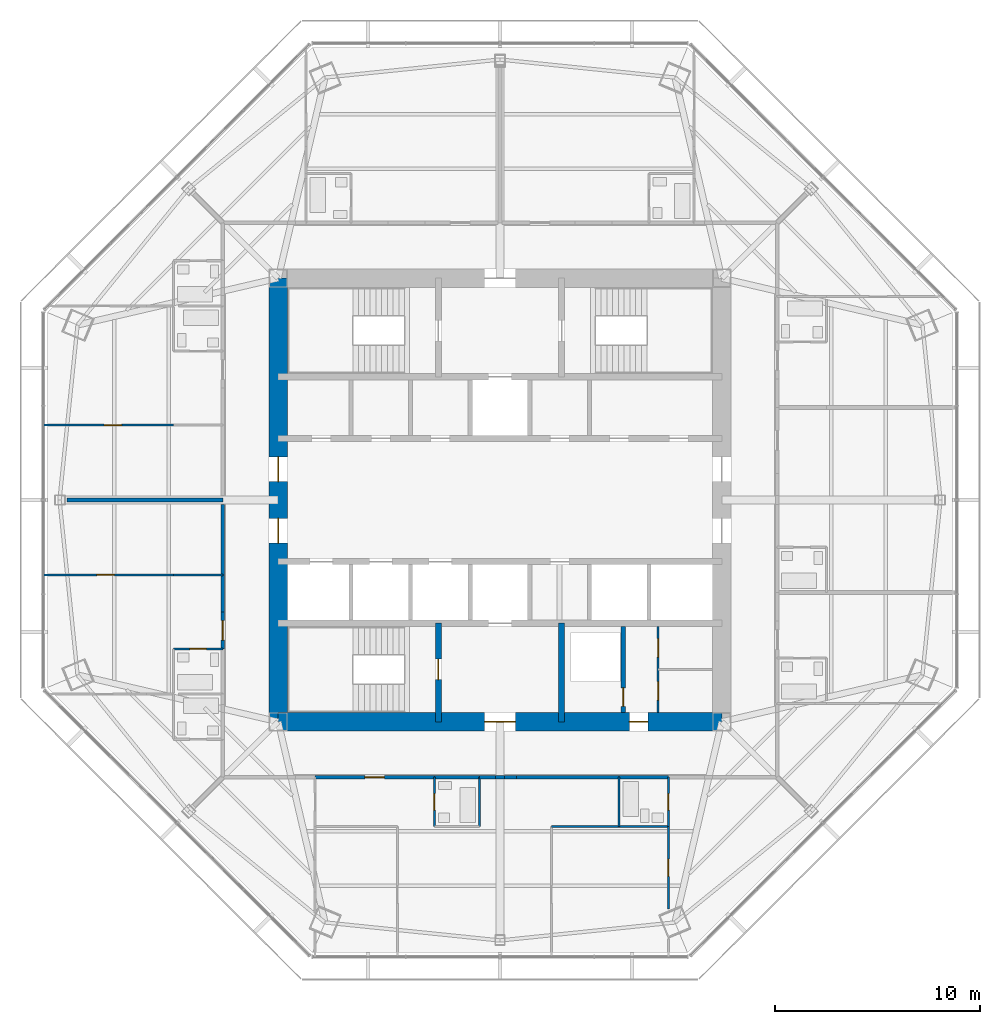
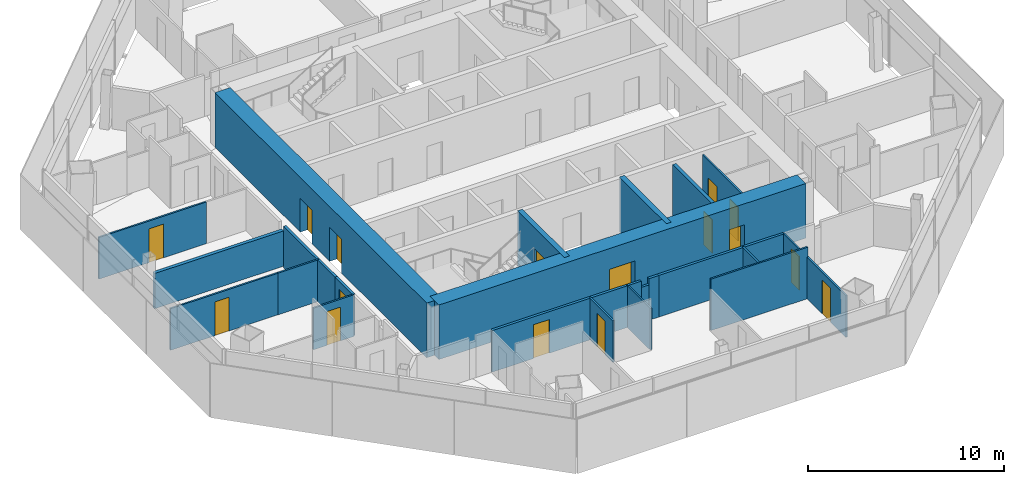
# One storey, part 9 of 15: 27 walls, 16 doors, 16 openings.
"""IFC4 building model written with IfcOpenShell, lengths in metres."""

from ifc_helpers import new_model, si_unit, direction, frame, frame_2d, origin, place, context, subcontext, project, spatial, rectangle, extrude, material, layer, layer_set, type_object, element, fill, save


model = new_model("IFC4")

# Units and contexts
model_context = context("Model", 3, precision=1e-05, world=origin(), true_north=direction((0.0, 1.0)))
body_context = subcontext(model_context, "Body", "Model", "MODEL_VIEW")
ifc_project = project(units=[si_unit("LENGTHUNIT", "METRE"), si_unit("AREAUNIT", "SQUARE_METRE"), si_unit("VOLUMEUNIT", "CUBIC_METRE"), si_unit("PLANEANGLEUNIT", "RADIAN"), si_unit("MASSUNIT", "GRAM", prefix="KILO")], contexts=[model_context])

# Site, building, storey
site_placement = place(None, origin())
site = spatial("IfcSite", under=ifc_project, at=site_placement, CompositionType="ELEMENT")
building_placement = place(site_placement, origin())
building = spatial("IfcBuilding", under=site, at=building_placement, Name="Mashrafa Tower", CompositionType="ELEMENT")
storey_placement = place(building_placement, frame((0.0, 0.0, 204.0)))
storey = spatial("IfcBuildingStorey", under=building, at=storey_placement, Name="L46", CompositionType="ELEMENT", Elevation=204.0)

# Wall
ifc_material_1 = material(Name="Gypsum board on steel studs", Category="steel")
ifc_layer_1 = layer(ifc_material_1, 0.199951171875)
ifc_layer_set_1 = layer_set([ifc_layer_1], Name="Acoustic partition 200 1 hr")
wall_type_1 = type_object("IfcWallType", Name="Acoustic partition 200 1 hr", PredefinedType="PARTITIONING", material=ifc_layer_set_1)
wall_1_placement = place(storey_placement, frame((-21.07861328125, 0.0, 0.0), z_axis=(0.0, 0.0, 1.0), x_axis=(1.0, 0.0, 0.0)))
element("IfcWall", 1, at=wall_1_placement, inside=storey, type_object=wall_type_1, Name="Acoustic wall L46-106", PredefinedType="PARTITIONING", context=body_context, shape_type="SweptSolid", body=[
    extrude(rectangle(XDim=7.57861328125, YDim=0.199951171875, at=frame_2d((3.789306640625, 0.0))), origin(), (0.0, 0.0, 1.0), 2.197021484375),
])

# Wall, opening, door
ifc_material_2 = material(Name="Concrete masonry unit", Category="masonry")
ifc_layer_2 = layer(ifc_material_2, 0.199951171875)
ifc_layer_set_2 = layer_set([ifc_layer_2], Name="Blockwork wall 200 2 hr")
wall_type_2 = type_object("IfcWallType", Name="Blockwork wall 200 2 hr", PredefinedType="PARTITIONING", material=ifc_layer_set_2)
wall_2_placement = place(storey_placement, frame((6.0, -10.35009765625, 0.0), z_axis=(0.0, 0.0, 1.0), x_axis=(0.0, 1.0, 0.0)))
wall_2 = element("IfcWall", 2, at=wall_2_placement, inside=storey, type_object=wall_type_2, Name="Riser enclosure wall L46", PredefinedType="PARTITIONING", context=body_context, shape_type="SweptSolid", body=[
    extrude(rectangle(XDim=4.2001953125, YDim=0.199951171875, at=frame_2d((2.10009765625, 0.0))), origin(), (0.0, 0.0, 1.0), 3.199951171875),
])
opening_1_placement = place(wall_2_placement, frame((0.300048828125, 0.0, 0.0)))
opening_1 = element("IfcOpeningElement", 3, at=opening_1_placement, cuts=wall_2, Name="Opening 46.042", PredefinedType="OPENING", context=body_context, shape_type="SweptSolid", body=[
    extrude(rectangle(XDim=0.89990234375, YDim=2.10009765625, at=frame_2d((0.449951171875, 1.050048828125))), frame((0.0, 0.10986328125, 0.0), z_axis=(0.0, -1.0, 0.0), x_axis=(1.0, 0.0, 0.0)), (0.0, 0.0, 1.0), 0.219970703125),
])
ifc_material_3 = material(Name="Steel door", Category="steel")
door_type_1 = type_object("IfcDoorType", Name="Service door 900 x 2100 90 min", OperationType="USERDEFINED", PredefinedType="DOOR", material=ifc_material_3)
door_1_placement = place(opening_1_placement, origin())
door_1 = element("IfcDoor", 4, at=door_1_placement, inside=storey, type_object=door_type_1, Name="Riser door L46", OperationType="SINGLE_SWING_LEFT", OverallHeight=2.10009765625, OverallWidth=0.89990234375, PredefinedType="DOOR", context=body_context, shape_type="SweptSolid", body=[
    extrude(rectangle(XDim=0.89990234375, YDim=2.10009765625, at=frame_2d((0.449951171875, 1.050048828125))), frame((0.0, 0.02490234375, 0.0), z_axis=(0.0, -1.0, 0.0), x_axis=(1.0, 0.0, 0.0)), (0.0, 0.0, 1.0), 0.050048828125),
])
fill(opening_1, door_1)

ifc_material_4 = material(Name="Concrete C50/60", Category="concrete")
ifc_layer_3 = layer(ifc_material_4, 0.300048828125)
ifc_layer_set_3 = layer_set([ifc_layer_3], Name="Core wall 300 C50/60")
wall_type_3 = type_object("IfcWallType", Name="Core wall 300 C50/60", PredefinedType="SOLIDWALL", material=ifc_layer_set_3)
wall_3_placement = place(storey_placement, frame((-3.0, -6.0, 0.0), z_axis=(0.0, 0.0, 1.0), x_axis=(0.0, -1.0, 0.0)))
wall_3 = element("IfcWall", 5, at=wall_3_placement, inside=storey, type_object=wall_type_3, Name="Core wall CX-SW L46", PredefinedType="SOLIDWALL", context=body_context, shape_type="SweptSolid", body=[
    extrude(rectangle(XDim=4.800048828125, YDim=0.300048828125, at=frame_2d((2.39990234375, 0.0))), origin(), (0.0, 0.0, 1.0), 3.39990234375),
])
opening_2_placement = place(wall_3_placement, frame((1.75, 0.0, 0.0)))
opening_2 = element("IfcOpeningElement", 6, at=opening_2_placement, cuts=wall_3, Name="Opening 46.040", PredefinedType="OPENING", context=body_context, shape_type="SweptSolid", body=[
    extrude(rectangle(XDim=1.0, YDim=2.10009765625, at=frame_2d((0.5, 1.050048828125))), frame((0.0, 0.159912109375, 0.0), z_axis=(0.0, -1.0, 0.0), x_axis=(1.0, 0.0, 0.0)), (0.0, 0.0, 1.0), 0.320068359375),
])
ifc_material_5 = material(Name="Steel door", Category="steel")
door_type_2 = type_object("IfcDoorType", Name="Stair door 1000 x 2100 90 min", OperationType="USERDEFINED", PredefinedType="DOOR", material=ifc_material_5)
door_2_placement = place(opening_2_placement, frame((1.0, 0.0, 0.0), z_axis=(0.0, 0.0, 1.0), x_axis=(-1.0, 0.0, 0.0)))
door_2 = element("IfcDoor", 7, at=door_2_placement, inside=storey, type_object=door_type_2, Name="Stair S3 door L46", OperationType="SINGLE_SWING_RIGHT", OverallHeight=2.10009765625, OverallWidth=1.0, PredefinedType="DOOR", context=body_context, shape_type="SweptSolid", body=[
    extrude(rectangle(XDim=1.0, YDim=2.10009765625, at=frame_2d((0.5, 1.050048828125))), frame((0.0, 0.02490234375, 0.0), z_axis=(0.0, -1.0, 0.0), x_axis=(1.0, 0.0, 0.0)), (0.0, 0.0, 1.0), 0.050048828125),
])
fill(opening_2, door_2)

# Wall
wall_4_placement = place(storey_placement, frame((3.0, -6.0, 0.0), z_axis=(0.0, 0.0, 1.0), x_axis=(0.0, -1.0, 0.0)))
element("IfcWall", 8, at=wall_4_placement, inside=storey, type_object=wall_type_3, Name="Core wall CX-SE L46", PredefinedType="SOLIDWALL", context=body_context, shape_type="SweptSolid", body=[
    extrude(rectangle(XDim=4.800048828125, YDim=0.300048828125, at=frame_2d((2.39990234375, 0.0))), origin(), (0.0, 0.0, 1.0), 3.39990234375),
])

# Wall, openings, doors
ifc_material_6 = material(Name="Concrete C50/60", Category="concrete")
ifc_layer_4 = layer(ifc_material_6, 0.89990234375)
ifc_layer_set_4 = layer_set([ifc_layer_4], Name="Core wall 900 C50/60")
wall_type_4 = type_object("IfcWallType", Name="Core wall 900 C50/60", PredefinedType="SOLIDWALL", material=ifc_layer_set_4)
wall_5_placement = place(storey_placement, frame((-10.800048828125, -10.800048828125, 0.0), z_axis=(0.0, 0.0, 1.0), x_axis=(1.0, 0.0, 0.0)))
wall_5 = element("IfcWall", 9, at=wall_5_placement, inside=storey, type_object=wall_type_4, Name="Core wall CW-S L46", PredefinedType="SOLIDWALL", context=body_context, shape_type="SweptSolid", body=[
    extrude(rectangle(XDim=21.60009765625, YDim=0.89990234375, at=frame_2d((10.800048828125, 0.0))), origin(), (0.0, 0.0, 1.0), 3.39990234375),
])
opening_3_placement = place(wall_5_placement, frame((10.050048828125, 0.0, 0.0)))
opening_3 = element("IfcOpeningElement", 10, at=opening_3_placement, cuts=wall_5, Name="Opening 46.037", PredefinedType="OPENING", context=body_context, shape_type="SweptSolid", body=[
    extrude(rectangle(XDim=1.5, YDim=2.10009765625, at=frame_2d((0.75, 1.050048828125))), frame((0.0, 0.4599609375, 0.0), z_axis=(0.0, -1.0, 0.0), x_axis=(1.0, 0.0, 0.0)), (0.0, 0.0, 1.0), 0.919921875),
])
opening_4_placement = place(wall_5_placement, frame((17.10009765625, 0.0, 0.0)))
opening_4 = element("IfcOpeningElement", 11, at=opening_4_placement, cuts=wall_5, Name="Opening 46.041", PredefinedType="OPENING", context=body_context, shape_type="SweptSolid", body=[
    extrude(rectangle(XDim=0.89990234375, YDim=2.10009765625, at=frame_2d((0.449951171875, 1.050048828125))), frame((0.0, 0.4599609375, 0.0), z_axis=(0.0, -1.0, 0.0), x_axis=(1.0, 0.0, 0.0)), (0.0, 0.0, 1.0), 0.919921875),
])
ifc_material_7 = material(Name="Steel door", Category="steel")
door_type_3 = type_object("IfcDoorType", Name="Lobby door pair 1500 x 2100 90 min", OperationType="DOUBLE_DOOR_SINGLE_SWING", PredefinedType="DOOR", material=ifc_material_7)
door_3_placement = place(opening_3_placement, origin())
door_3 = element("IfcDoor", 12, at=door_3_placement, inside=storey, type_object=door_type_3, Name="Fire-fighting lobby F2 door L46", OperationType="DOUBLE_DOOR_SINGLE_SWING", OverallHeight=2.10009765625, OverallWidth=1.5, PredefinedType="DOOR", context=body_context, shape_type="SweptSolid", body=[
    extrude(rectangle(XDim=1.5, YDim=2.10009765625, at=frame_2d((0.75, 1.050048828125))), frame((0.0, 0.02490234375, 0.0), z_axis=(0.0, -1.0, 0.0), x_axis=(1.0, 0.0, 0.0)), (0.0, 0.0, 1.0), 0.050048828125),
])
fill(opening_3, door_3)
door_4_placement = place(opening_4_placement, frame((0.89990234375, 0.0, 0.0), z_axis=(0.0, 0.0, 1.0), x_axis=(-1.0, 0.0, 0.0)))
door_4 = element("IfcDoor", 13, at=door_4_placement, inside=storey, type_object=door_type_1, Name="Services Lobby L46 door", OperationType="SINGLE_SWING_LEFT", OverallHeight=2.10009765625, OverallWidth=0.89990234375, PredefinedType="DOOR", context=body_context, shape_type="SweptSolid", body=[
    extrude(rectangle(XDim=0.89990234375, YDim=2.10009765625, at=frame_2d((0.449951171875, 1.050048828125))), frame((0.0, 0.02490234375, 0.0), z_axis=(0.0, -1.0, 0.0), x_axis=(1.0, 0.0, 0.0)), (0.0, 0.0, 1.0), 0.050048828125),
])
fill(opening_4, door_4)

wall_6_placement = place(storey_placement, frame((-10.800048828125, 10.800048828125, 0.0), z_axis=(0.0, 0.0, 1.0), x_axis=(0.0, -1.0, 0.0)))
wall_6 = element("IfcWall", 14, at=wall_6_placement, inside=storey, type_object=wall_type_4, Name="Core wall CW-W L46", PredefinedType="SOLIDWALL", context=body_context, shape_type="SweptSolid", body=[
    extrude(rectangle(XDim=21.60009765625, YDim=0.89990234375, at=frame_2d((10.800048828125, 0.0))), origin(), (0.0, 0.0, 1.0), 3.39990234375),
])
opening_5_placement = place(wall_6_placement, frame((8.699951171875, 0.0, 0.0)))
opening_5 = element("IfcOpeningElement", 15, at=opening_5_placement, cuts=wall_6, Name="Opening 46.033", PredefinedType="OPENING", context=body_context, shape_type="SweptSolid", body=[
    extrude(rectangle(XDim=1.199951171875, YDim=2.10009765625, at=frame_2d((0.60009765625, 1.050048828125))), frame((0.0, 0.4599609375, 0.0), z_axis=(0.0, -1.0, 0.0), x_axis=(1.0, 0.0, 0.0)), (0.0, 0.0, 1.0), 0.919921875),
])
opening_6_placement = place(wall_6_placement, frame((11.699951171875, 0.0, 0.0)))
opening_6 = element("IfcOpeningElement", 16, at=opening_6_placement, cuts=wall_6, Name="Opening 46.035", PredefinedType="OPENING", context=body_context, shape_type="SweptSolid", body=[
    extrude(rectangle(XDim=1.199951171875, YDim=2.10009765625, at=frame_2d((0.60009765625, 1.050048828125))), frame((0.0, 0.4599609375, 0.0), z_axis=(0.0, -1.0, 0.0), x_axis=(1.0, 0.0, 0.0)), (0.0, 0.0, 1.0), 0.919921875),
])
ifc_material_8 = material(Name="Steel door", Category="steel")
door_type_4 = type_object("IfcDoorType", Name="Lift hall door 1200 x 2100 90 min", OperationType="USERDEFINED", PredefinedType="DOOR", material=ifc_material_8)
door_5_placement = place(opening_5_placement, frame((1.199951171875, 0.0, 0.0), z_axis=(0.0, 0.0, 1.0), x_axis=(-1.0, 0.0, 0.0)))
door_5 = element("IfcDoor", 17, at=door_5_placement, inside=storey, type_object=door_type_4, Name="Lift hall door west L46", OperationType="SINGLE_SWING_RIGHT", OverallHeight=2.10009765625, OverallWidth=1.199951171875, PredefinedType="DOOR", context=body_context, shape_type="SweptSolid", body=[
    extrude(rectangle(XDim=1.199951171875, YDim=2.10009765625, at=frame_2d((0.60009765625, 1.050048828125))), frame((0.0, 0.02490234375, 0.0), z_axis=(0.0, -1.0, 0.0), x_axis=(1.0, 0.0, 0.0)), (0.0, 0.0, 1.0), 0.050048828125),
])
fill(opening_5, door_5)
door_6_placement = place(opening_6_placement, frame((1.199951171875, 0.0, 0.0), z_axis=(0.0, 0.0, 1.0), x_axis=(-1.0, 0.0, 0.0)))
door_6 = element("IfcDoor", 18, at=door_6_placement, inside=storey, type_object=door_type_4, Name="Lift hall door west L46", OperationType="SINGLE_SWING_LEFT", OverallHeight=2.10009765625, OverallWidth=1.199951171875, PredefinedType="DOOR", context=body_context, shape_type="SweptSolid", body=[
    extrude(rectangle(XDim=1.199951171875, YDim=2.10009765625, at=frame_2d((0.60009765625, 1.050048828125))), frame((0.0, 0.02490234375, 0.0), z_axis=(0.0, -1.0, 0.0), x_axis=(1.0, 0.0, 0.0)), (0.0, 0.0, 1.0), 0.050048828125),
])
fill(opening_6, door_6)

# Walls
ifc_material_9 = material(Name="Gypsum board on steel studs", Category="steel")
ifc_layer_5 = layer(ifc_material_9, 0.14990234375)
ifc_layer_set_5 = layer_set([ifc_layer_5], Name="Corridor partition 150 1 hr")
wall_type_5 = type_object("IfcWallType", Name="Corridor partition 150 1 hr", PredefinedType="PARTITIONING", material=ifc_layer_set_5)
wall_7_placement = place(storey_placement, frame((-13.5, -3.64892578125, 0.0), z_axis=(0.0, 0.0, 1.0), x_axis=(0.0, -1.0, 0.0)))
element("IfcWall", 19, at=wall_7_placement, inside=storey, type_object=wall_type_5, Name="Corridor wall L46-044", PredefinedType="PARTITIONING", context=body_context, shape_type="SweptSolid", body=[
    extrude(rectangle(XDim=1.802001953125, YDim=0.14990234375, at=frame_2d((0.90087890625, 0.0))), origin(), (0.0, 0.0, 1.0), 2.590576171875),
])
wall_8_placement = place(storey_placement, frame((-13.5, -0.230712890625, 0.0), z_axis=(0.0, 0.0, 1.0), x_axis=(0.0, -1.0, 0.0)))
element("IfcWall", 20, at=wall_8_placement, inside=storey, type_object=wall_type_5, Name="Corridor wall L46-045", PredefinedType="PARTITIONING", context=body_context, shape_type="SweptSolid", body=[
    extrude(rectangle(XDim=3.420166015625, YDim=0.14990234375, at=frame_2d((1.7099609375, 0.0))), origin(), (0.0, 0.0, 1.0), 2.590576171875),
])

# Wall, opening, door
wall_9_placement = place(storey_placement, frame((-13.5, -5.448974609375, 0.0), z_axis=(0.0, 0.0, 1.0), x_axis=(0.0, -1.0, 0.0)))
wall_9 = element("IfcWall", 21, at=wall_9_placement, inside=storey, type_object=wall_type_5, Name="Corridor wall L46-046", PredefinedType="PARTITIONING", context=body_context, shape_type="SweptSolid", body=[
    extrude(rectangle(XDim=1.802001953125, YDim=0.14990234375, at=frame_2d((0.90087890625, 0.0))), origin(), (0.0, 0.0, 1.0), 2.590576171875),
])
opening_7_placement = place(wall_9_placement, frame((0.426025390625, 0.0, 0.0)))
opening_7 = element("IfcOpeningElement", 22, at=opening_7_placement, cuts=wall_9, Name="Opening 46.024", PredefinedType="OPENING", context=body_context, shape_type="SweptSolid", body=[
    extrude(rectangle(XDim=0.949951171875, YDim=2.10009765625, at=frame_2d((0.47509765625, 1.050048828125))), frame((0.0, 0.0849609375, 0.0), z_axis=(0.0, -1.0, 0.0), x_axis=(1.0, 0.0, 0.0)), (0.0, 0.0, 1.0), 0.169921875),
])
ifc_material_10 = material(Name="Steel door", Category="steel")
door_type_5 = type_object("IfcDoorType", Name="Residence entrance door 950 x 2100 20 min", OperationType="USERDEFINED", PredefinedType="DOOR", material=ifc_material_10)
door_7_placement = place(opening_7_placement, frame((0.949951171875, 0.0, 0.0), z_axis=(0.0, 0.0, 1.0), x_axis=(-1.0, 0.0, 0.0)))
door_7 = element("IfcDoor", 23, at=door_7_placement, inside=storey, type_object=door_type_5, Name="Apartment 4607 Living Room door", OperationType="SINGLE_SWING_RIGHT", OverallHeight=2.10009765625, OverallWidth=0.949951171875, PredefinedType="DOOR", context=body_context, shape_type="SweptSolid", body=[
    extrude(rectangle(XDim=0.949951171875, YDim=2.10009765625, at=frame_2d((0.47509765625, 1.050048828125))), frame((0.0, 0.02490234375, 0.0), z_axis=(0.0, -1.0, 0.0), x_axis=(1.0, 0.0, 0.0)), (0.0, 0.0, 1.0), 0.050048828125),
])
fill(opening_7, door_7)

# Walls
wall_10_placement = place(storey_placement, frame((-3.200927734375, -13.5, 0.0), z_axis=(0.0, 0.0, 1.0), x_axis=(1.0, 0.0, 0.0)))
element("IfcWall", 24, at=wall_10_placement, inside=storey, type_object=wall_type_5, Name="Corridor wall L46-050", PredefinedType="PARTITIONING", context=body_context, shape_type="SweptSolid", body=[
    extrude(rectangle(XDim=2.201904296875, YDim=0.14990234375, at=frame_2d((1.10107421875, 0.0))), origin(), (0.0, 0.0, 1.0), 2.590576171875),
])
wall_11_placement = place(storey_placement, frame((-1.0009765625, -13.5, 0.0), z_axis=(0.0, 0.0, 1.0), x_axis=(1.0, 0.0, 0.0)))
element("IfcWall", 25, at=wall_11_placement, inside=storey, type_object=wall_type_5, Name="Corridor wall L46-051", PredefinedType="PARTITIONING", context=body_context, shape_type="SweptSolid", body=[
    extrude(rectangle(XDim=0.770263671875, YDim=0.14990234375, at=frame_2d((0.38525390625, 0.0))), origin(), (0.0, 0.0, 1.0), 2.590576171875),
])
wall_12_placement = place(storey_placement, frame((0.230712890625, -13.5, 0.0), z_axis=(0.0, 0.0, 1.0), x_axis=(1.0, 0.0, 0.0)))
element("IfcWall", 26, at=wall_12_placement, inside=storey, type_object=wall_type_5, Name="Corridor wall L46-052", PredefinedType="PARTITIONING", context=body_context, shape_type="SweptSolid", body=[
    extrude(rectangle(XDim=0.5703125, YDim=0.14990234375, at=frame_2d((0.28515625, 0.0))), origin(), (0.0, 0.0, 1.0), 2.590576171875),
])
wall_13_placement = place(storey_placement, frame((-0.230712890625, -13.5, 0.0), z_axis=(0.0, 0.0, 1.0), x_axis=(1.0, 0.0, 0.0)))
element("IfcWall", 27, at=wall_13_placement, inside=storey, type_object=wall_type_5, Name="Corridor wall L46-053", PredefinedType="PARTITIONING", context=body_context, shape_type="SweptSolid", body=[
    extrude(rectangle(XDim=0.46142578125, YDim=0.14990234375, at=frame_2d((0.230712890625, 0.0))), origin(), (0.0, 0.0, 1.0), 2.197021484375),
])
wall_14_placement = place(storey_placement, frame((5.799072265625, -13.5, 0.0), z_axis=(0.0, 0.0, 1.0), x_axis=(1.0, 0.0, 0.0)))
element("IfcWall", 28, at=wall_14_placement, inside=storey, type_object=wall_type_5, Name="Corridor wall L46-054", PredefinedType="PARTITIONING", context=body_context, shape_type="SweptSolid", body=[
    extrude(rectangle(XDim=2.40185546875, YDim=0.14990234375, at=frame_2d((1.200927734375, 0.0))), origin(), (0.0, 0.0, 1.0), 2.590576171875),
])

# Wall, opening, door
wall_15_placement = place(storey_placement, frame((-9.0009765625, -13.5, 0.0), z_axis=(0.0, 0.0, 1.0), x_axis=(1.0, 0.0, 0.0)))
wall_15 = element("IfcWall", 29, at=wall_15_placement, inside=storey, type_object=wall_type_5, Name="Corridor wall L46-058", PredefinedType="PARTITIONING", context=body_context, shape_type="SweptSolid", body=[
    extrude(rectangle(XDim=5.802001953125, YDim=0.14990234375, at=frame_2d((2.90087890625, 0.0))), origin(), (0.0, 0.0, 1.0), 2.590576171875),
])
opening_8_placement = place(wall_15_placement, frame((2.426025390625, 0.0, 0.0)))
opening_8 = element("IfcOpeningElement", 30, at=opening_8_placement, cuts=wall_15, Name="Opening 46.030", PredefinedType="OPENING", context=body_context, shape_type="SweptSolid", body=[
    extrude(rectangle(XDim=0.949951171875, YDim=2.10009765625, at=frame_2d((0.47509765625, 1.050048828125))), frame((0.0, 0.0849609375, 0.0), z_axis=(0.0, -1.0, 0.0), x_axis=(1.0, 0.0, 0.0)), (0.0, 0.0, 1.0), 0.169921875),
])
door_8_placement = place(opening_8_placement, frame((0.949951171875, 0.0, 0.0), z_axis=(0.0, 0.0, 1.0), x_axis=(-1.0, 0.0, 0.0)))
door_8 = element("IfcDoor", 31, at=door_8_placement, inside=storey, type_object=door_type_5, Name="Apartment 4608 Living Room door", OperationType="SINGLE_SWING_RIGHT", OverallHeight=2.10009765625, OverallWidth=0.949951171875, PredefinedType="DOOR", context=body_context, shape_type="SweptSolid", body=[
    extrude(rectangle(XDim=0.949951171875, YDim=2.10009765625, at=frame_2d((0.47509765625, 1.050048828125))), frame((0.0, 0.02490234375, 0.0), z_axis=(0.0, -1.0, 0.0), x_axis=(1.0, 0.0, 0.0)), (0.0, 0.0, 1.0), 0.050048828125),
])
fill(opening_8, door_8)

# Wall
wall_16_placement = place(storey_placement, frame((0.799072265625, -13.5, 0.0), z_axis=(0.0, 0.0, 1.0), x_axis=(1.0, 0.0, 0.0)))
element("IfcWall", 32, at=wall_16_placement, inside=storey, type_object=wall_type_5, Name="Corridor wall L46-059", PredefinedType="PARTITIONING", context=body_context, shape_type="SweptSolid", body=[
    extrude(rectangle(XDim=5.001953125, YDim=0.14990234375, at=frame_2d((2.5009765625, 0.0))), origin(), (0.0, 0.0, 1.0), 2.590576171875),
])

# Wall, opening, door
ifc_material_11 = material(Name="Gypsum board on steel studs", Category="steel")
ifc_layer_6 = layer(ifc_material_11, 0.10009765625)
ifc_layer_set_6 = layer_set([ifc_layer_6], Name="Partition 100")
wall_type_6 = type_object("IfcWallType", Name="Partition 100", PredefinedType="PARTITIONING", material=ifc_layer_set_6)
wall_17_placement = place(storey_placement, frame((-15.89892578125, 3.64990234375, 0.0), z_axis=(0.0, 0.0, 1.0), x_axis=(-1.0, 0.0, 0.0)))
wall_17 = element("IfcWall", 33, at=wall_17_placement, inside=storey, type_object=wall_type_6, Name="Partition wall L46-105", PredefinedType="PARTITIONING", context=body_context, shape_type="SweptSolid", body=[
    extrude(rectangle(XDim=6.328857421875, YDim=0.10009765625, at=frame_2d((3.16455078125, 0.0))), origin(), (0.0, 0.0, 1.0), 2.590576171875),
])
opening_9_placement = place(wall_17_placement, frame((2.5224609375, 0.0, 0.0)))
opening_9 = element("IfcOpeningElement", 34, at=opening_9_placement, cuts=wall_17, Name="Opening 46.018", PredefinedType="OPENING", context=body_context, shape_type="SweptSolid", body=[
    extrude(rectangle(XDim=0.85009765625, YDim=2.10009765625, at=frame_2d((0.425048828125, 1.050048828125))), frame((0.0, 0.06005859375, 0.0), z_axis=(0.0, -1.0, 0.0), x_axis=(1.0, 0.0, 0.0)), (0.0, 0.0, 1.0), 0.1201171875),
])
ifc_material_12 = material(Name="Timber door", Category="wood")
door_type_6 = type_object("IfcDoorType", Name="Bedroom door 850 x 2100", OperationType="USERDEFINED", PredefinedType="DOOR", material=ifc_material_12)
door_9_placement = place(opening_9_placement, origin())
door_9 = element("IfcDoor", 35, at=door_9_placement, inside=storey, type_object=door_type_6, Name="Apartment 4606 Bedroom 2 door", OperationType="SINGLE_SWING_RIGHT", OverallHeight=2.10009765625, OverallWidth=0.85009765625, PredefinedType="DOOR", context=body_context, shape_type="SweptSolid", body=[
    extrude(rectangle(XDim=0.85009765625, YDim=2.10009765625, at=frame_2d((0.425048828125, 1.050048828125))), frame((0.0, 0.02490234375, 0.0), z_axis=(0.0, -1.0, 0.0), x_axis=(1.0, 0.0, 0.0)), (0.0, 0.0, 1.0), 0.050048828125),
])
fill(opening_9, door_9)

wall_18_placement = place(storey_placement, frame((-13.5, -7.25, 0.0), z_axis=(0.0, 0.0, 1.0), x_axis=(-1.0, 0.0, 0.0)))
wall_18 = element("IfcWall", 36, at=wall_18_placement, inside=storey, type_object=wall_type_6, Name="Partition wall L46-114", PredefinedType="PARTITIONING", context=body_context, shape_type="SweptSolid", body=[
    extrude(rectangle(XDim=2.39990234375, YDim=0.10009765625, at=frame_2d((1.199951171875, 0.0))), origin(), (0.0, 0.0, 1.0), 2.590576171875),
])
opening_10_placement = place(wall_18_placement, frame((0.800048828125, 0.0, 0.0)))
opening_10 = element("IfcOpeningElement", 37, at=opening_10_placement, cuts=wall_18, Name="Opening 46.022", PredefinedType="OPENING", context=body_context, shape_type="SweptSolid", body=[
    extrude(rectangle(XDim=0.800048828125, YDim=2.10009765625, at=frame_2d((0.39990234375, 1.050048828125))), frame((0.0, 0.06005859375, 0.0), z_axis=(0.0, -1.0, 0.0), x_axis=(1.0, 0.0, 0.0)), (0.0, 0.0, 1.0), 0.1201171875),
])
ifc_material_13 = material(Name="Timber door", Category="wood")
door_type_7 = type_object("IfcDoorType", Name="Bathroom door 800 x 2100", OperationType="USERDEFINED", PredefinedType="DOOR", material=ifc_material_13)
door_10_placement = place(opening_10_placement, origin())
door_10 = element("IfcDoor", 38, at=door_10_placement, inside=storey, type_object=door_type_7, Name="Apartment 4607 Bathroom door", OperationType="SINGLE_SWING_RIGHT", OverallHeight=2.10009765625, OverallWidth=0.800048828125, PredefinedType="DOOR", context=body_context, shape_type="SweptSolid", body=[
    extrude(rectangle(XDim=0.800048828125, YDim=2.10009765625, at=frame_2d((0.39990234375, 1.050048828125))), frame((0.0, 0.02490234375, 0.0), z_axis=(0.0, -1.0, 0.0), x_axis=(1.0, 0.0, 0.0)), (0.0, 0.0, 1.0), 0.050048828125),
])
fill(opening_10, door_10)

# Wall
wall_19_placement = place(storey_placement, frame((-13.5, -3.64990234375, 0.0), z_axis=(0.0, 0.0, 1.0), x_axis=(-1.0, 0.0, 0.0)))
element("IfcWall", 39, at=wall_19_placement, inside=storey, type_object=wall_type_6, Name="Partition wall L46-116", PredefinedType="PARTITIONING", context=body_context, shape_type="SweptSolid", body=[
    extrude(rectangle(XDim=2.39990234375, YDim=0.10009765625, at=frame_2d((1.199951171875, 0.0))), origin(), (0.0, 0.0, 1.0), 2.590576171875),
])

# Wall, opening, door
wall_20_placement = place(storey_placement, frame((-22.227783203125, -3.64990234375, 0.0), z_axis=(0.0, 0.0, 1.0), x_axis=(1.0, 0.0, 0.0)))
wall_20 = element("IfcWall", 40, at=wall_20_placement, inside=storey, type_object=wall_type_6, Name="Partition wall L46-117", PredefinedType="PARTITIONING", context=body_context, shape_type="SweptSolid", body=[
    extrude(rectangle(XDim=6.328857421875, YDim=0.10009765625, at=frame_2d((3.16455078125, 0.0))), origin(), (0.0, 0.0, 1.0), 2.590576171875),
])
opening_11_placement = place(wall_20_placement, frame((2.601318359375, 0.0, 0.0)))
opening_11 = element("IfcOpeningElement", 41, at=opening_11_placement, cuts=wall_20, Name="Opening 46.023", PredefinedType="OPENING", context=body_context, shape_type="SweptSolid", body=[
    extrude(rectangle(XDim=0.85009765625, YDim=2.10009765625, at=frame_2d((0.425048828125, 1.050048828125))), frame((0.0, 0.06005859375, 0.0), z_axis=(0.0, -1.0, 0.0), x_axis=(1.0, 0.0, 0.0)), (0.0, 0.0, 1.0), 0.1201171875),
])
door_11_placement = place(opening_11_placement, origin())
door_11 = element("IfcDoor", 42, at=door_11_placement, inside=storey, type_object=door_type_6, Name="Apartment 4607 Bedroom 2 door", OperationType="SINGLE_SWING_LEFT", OverallHeight=2.10009765625, OverallWidth=0.85009765625, PredefinedType="DOOR", context=body_context, shape_type="SweptSolid", body=[
    extrude(rectangle(XDim=0.85009765625, YDim=2.10009765625, at=frame_2d((0.425048828125, 1.050048828125))), frame((0.0, 0.02490234375, 0.0), z_axis=(0.0, -1.0, 0.0), x_axis=(1.0, 0.0, 0.0)), (0.0, 0.0, 1.0), 0.050048828125),
])
fill(opening_11, door_11)

# Wall
wall_21_placement = place(storey_placement, frame((-1.0, -15.89990234375, 0.0), z_axis=(0.0, 0.0, 1.0), x_axis=(0.0, 1.0, 0.0)))
element("IfcWall", 43, at=wall_21_placement, inside=storey, type_object=wall_type_6, Name="Partition wall L46-125", PredefinedType="PARTITIONING", context=body_context, shape_type="SweptSolid", body=[
    extrude(rectangle(XDim=2.39990234375, YDim=0.10009765625, at=frame_2d((1.199951171875, 0.0))), origin(), (0.0, 0.0, 1.0), 2.590576171875),
])

# Wall, opening, door
wall_22_placement = place(storey_placement, frame((-3.199951171875, -13.5, 0.0), z_axis=(0.0, 0.0, 1.0), x_axis=(0.0, -1.0, 0.0)))
wall_22 = element("IfcWall", 44, at=wall_22_placement, inside=storey, type_object=wall_type_6, Name="Partition wall L46-126", PredefinedType="PARTITIONING", context=body_context, shape_type="SweptSolid", body=[
    extrude(rectangle(XDim=2.39990234375, YDim=0.10009765625, at=frame_2d((1.199951171875, 0.0))), origin(), (0.0, 0.0, 1.0), 2.590576171875),
])
opening_12_placement = place(wall_22_placement, frame((0.800048828125, 0.0, 0.0)))
opening_12 = element("IfcOpeningElement", 45, at=opening_12_placement, cuts=wall_22, Name="Opening 46.027", PredefinedType="OPENING", context=body_context, shape_type="SweptSolid", body=[
    extrude(rectangle(XDim=0.800048828125, YDim=2.10009765625, at=frame_2d((0.39990234375, 1.050048828125))), frame((0.0, 0.06005859375, 0.0), z_axis=(0.0, -1.0, 0.0), x_axis=(1.0, 0.0, 0.0)), (0.0, 0.0, 1.0), 0.1201171875),
])
door_12_placement = place(opening_12_placement, origin())
door_12 = element("IfcDoor", 46, at=door_12_placement, inside=storey, type_object=door_type_7, Name="Apartment 4608 Bathroom door", OperationType="SINGLE_SWING_RIGHT", OverallHeight=2.10009765625, OverallWidth=0.800048828125, PredefinedType="DOOR", context=body_context, shape_type="SweptSolid", body=[
    extrude(rectangle(XDim=0.800048828125, YDim=2.10009765625, at=frame_2d((0.39990234375, 1.050048828125))), frame((0.0, 0.02490234375, 0.0), z_axis=(0.0, -1.0, 0.0), x_axis=(1.0, 0.0, 0.0)), (0.0, 0.0, 1.0), 0.050048828125),
])
fill(opening_12, door_12)

wall_23_placement = place(storey_placement, frame((8.199951171875, -15.89990234375, 0.0), z_axis=(0.0, 0.0, 1.0), x_axis=(0.0, 1.0, 0.0)))
wall_23 = element("IfcWall", 47, at=wall_23_placement, inside=storey, type_object=wall_type_6, Name="Partition wall L46-128", PredefinedType="PARTITIONING", context=body_context, shape_type="SweptSolid", body=[
    extrude(rectangle(XDim=2.39990234375, YDim=0.10009765625, at=frame_2d((1.199951171875, 0.0))), origin(), (0.0, 0.0, 1.0), 2.590576171875),
])
opening_13_placement = place(wall_23_placement, frame((0.800048828125, 0.0, 0.0)))
opening_13 = element("IfcOpeningElement", 48, at=opening_13_placement, cuts=wall_23, Name="Opening 46.028", PredefinedType="OPENING", context=body_context, shape_type="SweptSolid", body=[
    extrude(rectangle(XDim=0.800048828125, YDim=2.10009765625, at=frame_2d((0.39990234375, 1.050048828125))), frame((0.0, 0.06005859375, 0.0), z_axis=(0.0, -1.0, 0.0), x_axis=(1.0, 0.0, 0.0)), (0.0, 0.0, 1.0), 0.1201171875),
])
door_13_placement = place(opening_13_placement, origin())
door_13 = element("IfcDoor", 49, at=door_13_placement, inside=storey, type_object=door_type_7, Name="Apartment 4608 En-suite Bathroom door", OperationType="SINGLE_SWING_LEFT", OverallHeight=2.10009765625, OverallWidth=0.800048828125, PredefinedType="DOOR", context=body_context, shape_type="SweptSolid", body=[
    extrude(rectangle(XDim=0.800048828125, YDim=2.10009765625, at=frame_2d((0.39990234375, 1.050048828125))), frame((0.0, 0.02490234375, 0.0), z_axis=(0.0, -1.0, 0.0), x_axis=(1.0, 0.0, 0.0)), (0.0, 0.0, 1.0), 0.050048828125),
])
fill(opening_13, door_13)

# Walls
wall_24_placement = place(storey_placement, frame((5.800048828125, -13.5, 0.0), z_axis=(0.0, 0.0, 1.0), x_axis=(0.0, -1.0, 0.0)))
element("IfcWall", 50, at=wall_24_placement, inside=storey, type_object=wall_type_6, Name="Partition wall L46-129", PredefinedType="PARTITIONING", context=body_context, shape_type="SweptSolid", body=[
    extrude(rectangle(XDim=2.39990234375, YDim=0.10009765625, at=frame_2d((1.199951171875, 0.0))), origin(), (0.0, 0.0, 1.0), 2.590576171875),
])
wall_25_placement = place(storey_placement, frame((8.199951171875, -15.89990234375, 0.0), z_axis=(0.0, 0.0, 1.0), x_axis=(-1.0, 0.0, 0.0)))
element("IfcWall", 51, at=wall_25_placement, inside=storey, type_object=wall_type_6, Name="Partition wall L46-130", PredefinedType="PARTITIONING", context=body_context, shape_type="SweptSolid", body=[
    extrude(rectangle(XDim=5.699951171875, YDim=0.10009765625, at=frame_2d((2.85009765625, 0.0))), origin(), (0.0, 0.0, 1.0), 3.199951171875),
])

# Wall, opening, door
wall_26_placement = place(storey_placement, frame((8.199951171875, -15.89892578125, 0.0), z_axis=(0.0, 0.0, 1.0), x_axis=(0.0, -1.0, 0.0)))
wall_26 = element("IfcWall", 52, at=wall_26_placement, inside=storey, type_object=wall_type_6, Name="Partition wall L46-131", PredefinedType="PARTITIONING", context=body_context, shape_type="SweptSolid", body=[
    extrude(rectangle(XDim=4.015625, YDim=0.10009765625, at=frame_2d((2.0078125, 0.0))), origin(), (0.0, 0.0, 1.0), 2.590576171875),
])
opening_14_placement = place(wall_26_placement, frame((1.582763671875, 0.0, 0.0)))
opening_14 = element("IfcOpeningElement", 53, at=opening_14_placement, cuts=wall_26, Name="Opening 46.029", PredefinedType="OPENING", context=body_context, shape_type="SweptSolid", body=[
    extrude(rectangle(XDim=0.85009765625, YDim=2.10009765625, at=frame_2d((0.425048828125, 1.050048828125))), frame((0.0, 0.06005859375, 0.0), z_axis=(0.0, -1.0, 0.0), x_axis=(1.0, 0.0, 0.0)), (0.0, 0.0, 1.0), 0.1201171875),
])
door_14_placement = place(opening_14_placement, origin())
door_14 = element("IfcDoor", 54, at=door_14_placement, inside=storey, type_object=door_type_6, Name="Apartment 4608 Bedroom 3 door", OperationType="SINGLE_SWING_RIGHT", OverallHeight=2.10009765625, OverallWidth=0.85009765625, PredefinedType="DOOR", context=body_context, shape_type="SweptSolid", body=[
    extrude(rectangle(XDim=0.85009765625, YDim=2.10009765625, at=frame_2d((0.425048828125, 1.050048828125))), frame((0.0, 0.02490234375, 0.0), z_axis=(0.0, -1.0, 0.0), x_axis=(1.0, 0.0, 0.0)), (0.0, 0.0, 1.0), 0.050048828125),
])
fill(opening_14, door_14)

# Wall, openings, doors
ifc_material_14 = material(Name="Gypsum board on steel studs", Category="steel")
ifc_layer_7 = layer(ifc_material_14, 0.10009765625)
ifc_layer_set_7 = layer_set([ifc_layer_7], Name="Partition 100 1 hr")
wall_type_7 = type_object("IfcWallType", Name="Partition 100 1 hr", PredefinedType="PARTITIONING", material=ifc_layer_set_7)
wall_27_placement = place(storey_placement, frame((7.699951171875, -10.35009765625, 0.0), z_axis=(0.0, 0.0, 1.0), x_axis=(0.0, 1.0, 0.0)))
wall_27 = element("IfcWall", 55, at=wall_27_placement, inside=storey, type_object=wall_type_7, Name="Services lobby partition A L46", PredefinedType="PARTITIONING", context=body_context, shape_type="SweptSolid", body=[
    extrude(rectangle(XDim=4.2001953125, YDim=0.10009765625, at=frame_2d((2.10009765625, 0.0))), origin(), (0.0, 0.0, 1.0), 3.199951171875),
])
opening_15_placement = place(wall_27_placement, frame((2.699951171875, 0.0, 0.0)))
opening_15 = element("IfcOpeningElement", 56, at=opening_15_placement, cuts=wall_27, Name="Opening 46.043", PredefinedType="OPENING", context=body_context, shape_type="SweptSolid", body=[
    extrude(rectangle(XDim=0.89990234375, YDim=2.10009765625, at=frame_2d((0.449951171875, 1.050048828125))), frame((0.0, 0.06005859375, 0.0), z_axis=(0.0, -1.0, 0.0), x_axis=(1.0, 0.0, 0.0)), (0.0, 0.0, 1.0), 0.1201171875),
])
opening_16_placement = place(wall_27_placement, frame((0.60009765625, 0.0, 0.0)))
opening_16 = element("IfcOpeningElement", 57, at=opening_16_placement, cuts=wall_27, Name="Opening 46.044", PredefinedType="OPENING", context=body_context, shape_type="SweptSolid", body=[
    extrude(rectangle(XDim=0.89990234375, YDim=2.10009765625, at=frame_2d((0.449951171875, 1.050048828125))), frame((0.0, 0.06005859375, 0.0), z_axis=(0.0, -1.0, 0.0), x_axis=(1.0, 0.0, 0.0)), (0.0, 0.0, 1.0), 0.1201171875),
])
ifc_material_15 = material(Name="Timber door", Category="wood")
door_type_8 = type_object("IfcDoorType", Name="Store door 900 x 2100", OperationType="USERDEFINED", PredefinedType="DOOR", material=ifc_material_15)
door_15_placement = place(opening_15_placement, frame((0.89990234375, 0.0, 0.0), z_axis=(0.0, 0.0, 1.0), x_axis=(-1.0, 0.0, 0.0)))
door_15 = element("IfcDoor", 58, at=door_15_placement, inside=storey, type_object=door_type_8, Name="Communications Room L46 door", OperationType="SINGLE_SWING_RIGHT", OverallHeight=2.10009765625, OverallWidth=0.89990234375, PredefinedType="DOOR", context=body_context, shape_type="SweptSolid", body=[
    extrude(rectangle(XDim=0.89990234375, YDim=2.10009765625, at=frame_2d((0.449951171875, 1.050048828125))), frame((0.0, 0.02490234375, 0.0), z_axis=(0.0, -1.0, 0.0), x_axis=(1.0, 0.0, 0.0)), (0.0, 0.0, 1.0), 0.050048828125),
])
fill(opening_15, door_15)
door_16_placement = place(opening_16_placement, frame((0.89990234375, 0.0, 0.0), z_axis=(0.0, 0.0, 1.0), x_axis=(-1.0, 0.0, 0.0)))
door_16 = element("IfcDoor", 59, at=door_16_placement, inside=storey, type_object=door_type_8, Name="Building Services Store L46 door", OperationType="SINGLE_SWING_LEFT", OverallHeight=2.10009765625, OverallWidth=0.89990234375, PredefinedType="DOOR", context=body_context, shape_type="SweptSolid", body=[
    extrude(rectangle(XDim=0.89990234375, YDim=2.10009765625, at=frame_2d((0.449951171875, 1.050048828125))), frame((0.0, 0.02490234375, 0.0), z_axis=(0.0, -1.0, 0.0), x_axis=(1.0, 0.0, 0.0)), (0.0, 0.0, 1.0), 0.050048828125),
])
fill(opening_16, door_16)

save(model, "model.ifc")
